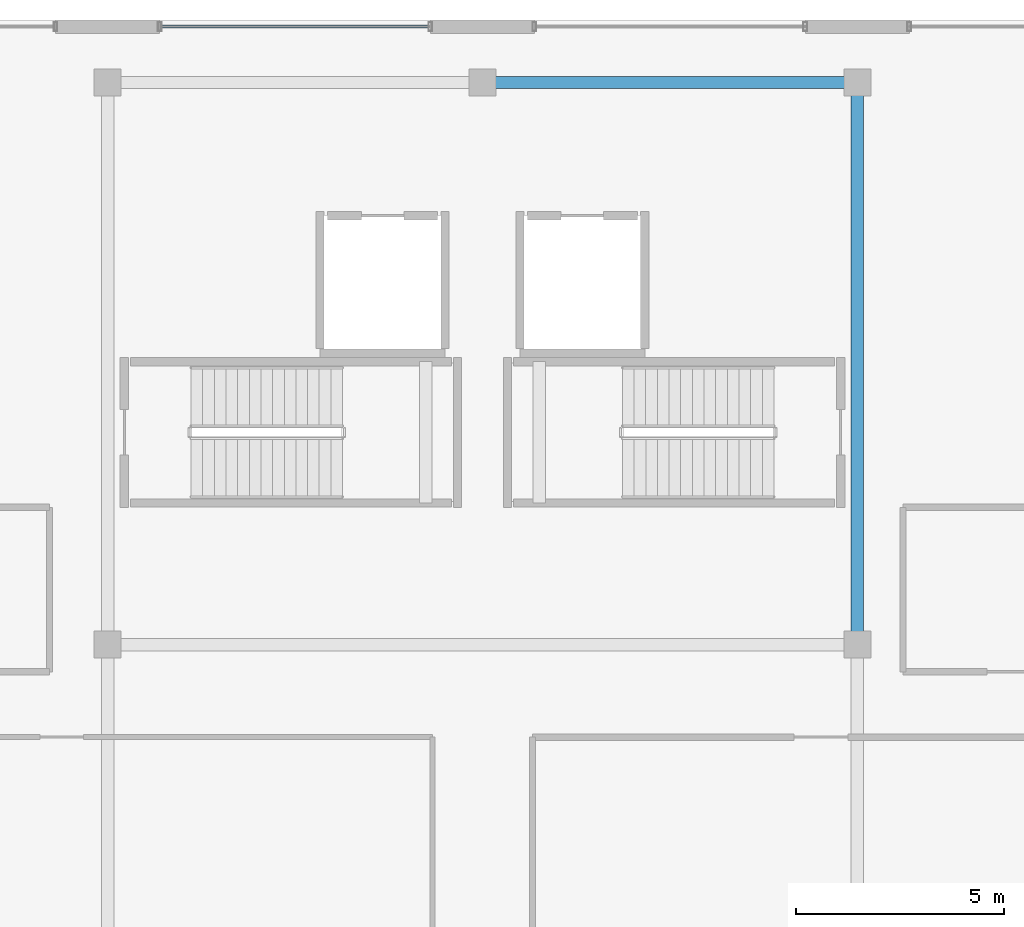
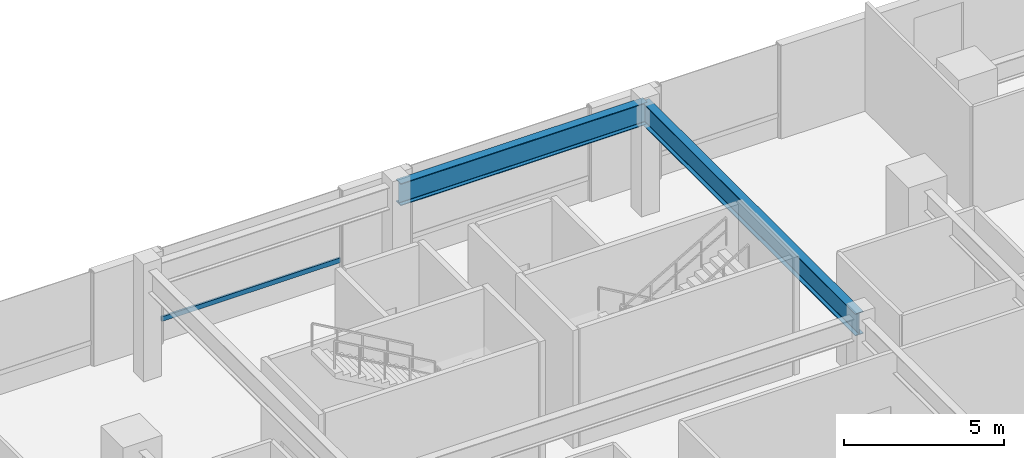
# One storey, part 5 of 22: 2 beams, 1 member, 1 element without a shape of its own.
"""IFC4 building model written with IfcOpenShell, lengths in metres."""

from ifc_helpers import new_model, si_unit, direction, frame, origin, origin_2d, place, context, subcontext, project, spatial, hollow_rectangle, i_section, extrude, material, material_profile, profile_set, type_object, element, aggregate, save


model = new_model("IFC4")

# Units and contexts
model_context = context("Model", 3, precision=1e-05, world=origin(), true_north=direction((0.0, 1.0)))
body_context = subcontext(model_context, "Body", "Model", "MODEL_VIEW")
ifc_project = project(units=[si_unit("LENGTHUNIT", "METRE"), si_unit("AREAUNIT", "SQUARE_METRE"), si_unit("VOLUMEUNIT", "CUBIC_METRE"), si_unit("PLANEANGLEUNIT", "RADIAN"), si_unit("MASSUNIT", "GRAM", prefix="KILO")], contexts=[model_context])

# Site, building, storey
site_placement = place(None, origin())
site = spatial("IfcSite", under=ifc_project, at=site_placement, CompositionType="ELEMENT")
building_placement = place(site_placement, origin())
building = spatial("IfcBuilding", under=site, at=building_placement, Name="Thornwick Lancets Civic Towers", CompositionType="ELEMENT")
storey_placement = place(building_placement, frame((0.0, 0.0, 18.60009765625)))
storey = spatial("IfcBuildingStorey", under=building, at=storey_placement, Name="L04", CompositionType="ELEMENT", Elevation=18.60009765625)

# Beams
ifc_material_1 = material(Name="Steel S355JR", Category="steel")
ifc_material_profile_1 = material_profile(ifc_material_1, i_section(OverallWidth=0.293701171875, OverallDepth=0.850830078125, WebThickness=0.01611328125, FlangeThickness=0.02685546875, FilletRadius=0.017822265625, at=origin_2d()), Name="UKB 838x292x226")
ifc_profile_set_1 = profile_set([ifc_material_profile_1], Name="Steel S355JR")
beam_type = type_object("IfcBeamType", Name="BM_POD_838_226", PredefinedType="BEAM", material=ifc_profile_set_1)
beam_1_placement = place(storey_placement, frame((66.0, 34.580078125, 3.75439453125), z_axis=(0.0, 1.0, 0.0), x_axis=(-1.0, 0.0, 0.0)))
element("IfcBeam", 1, at=beam_1_placement, inside=storey, type_object=beam_type, Name="BM-PODG-L04-10-13", PredefinedType="BEAM", context=body_context, shape_type="SweptSolid", body=[
    extrude(i_section(OverallWidth=0.293701171875, OverallDepth=0.850830078125, WebThickness=0.01611328125, FlangeThickness=0.02685546875, FilletRadius=0.017822265625, at=origin_2d()), origin(), (0.0, 0.0, 1.0), 13.419921875),
])
beam_2_placement = place(storey_placement, frame((57.080078125, 48.0, 3.75439453125), z_axis=(1.0, 0.0, 0.0), x_axis=(0.0, 1.0, 0.0)))
element("IfcBeam", 2, at=beam_2_placement, inside=storey, type_object=beam_type, Name="BM-PODG-L04-12-13", PredefinedType="BEAM", context=body_context, shape_type="SweptSolid", body=[
    extrude(i_section(OverallWidth=0.293701171875, OverallDepth=0.850830078125, WebThickness=0.01611328125, FlangeThickness=0.02685546875, FilletRadius=0.017822265625, at=origin_2d()), origin(), (0.0, 0.0, 1.0), 8.919921875),
])

# Curtain wall, member
ifc_material_2 = material(Name="Terracotta-trimmed cascading podium ribbon curtain wall", Category="masonry")
curtain_wall_type = type_object("IfcCurtainWallType", Name="CW_SYS_02", PredefinedType="NOTDEFINED", material=ifc_material_2)
curtain_wall_placement = place(storey_placement, origin())
curtain_wall = element("IfcCurtainWall", 3, at=curtain_wall_placement, inside=storey, type_object=curtain_wall_type, Name="L04 Curtain Wall CW-L04-POD-NC-S3", PredefinedType="NOTDEFINED")
ifc_material_3 = material(Name="Thermally broken bronze aluminium S355", Category="steel")
ifc_material_profile_2 = material_profile(ifc_material_3, hollow_rectangle(XDim=0.074951171875, YDim=0.179931640625, WallThickness=0.006103515625, at=origin_2d()), Name="RHS 180x75x6")
ifc_profile_set_2 = profile_set([ifc_material_profile_2], Name="Thermally broken bronze aluminium S355")
member_type = type_object("IfcMemberType", Name="CW_TRN_180", PredefinedType="USERDEFINED", material=ifc_profile_set_2)
member_placement = place(storey_placement, frame((55.72998046875, 49.340087890625, 0.849853515625), z_axis=(-1.0, 0.0, 0.0), x_axis=(0.0, -1.0, 0.0)))
member = element("IfcMember", 4, at=member_placement, type_object=member_type, Name="CW-L04-POD-NC-S3 Transom 0", ObjectType="TRANSOM", PredefinedType="USERDEFINED", context=body_context, shape_type="SweptSolid", body=[
    extrude(hollow_rectangle(XDim=0.074951171875, YDim=0.179931640625, WallThickness=0.006103515625, at=origin_2d()), origin(), (0.0, 0.0, 1.0), 6.4599609375),
])
aggregate(curtain_wall, [member])

save(model, "model.ifc")
